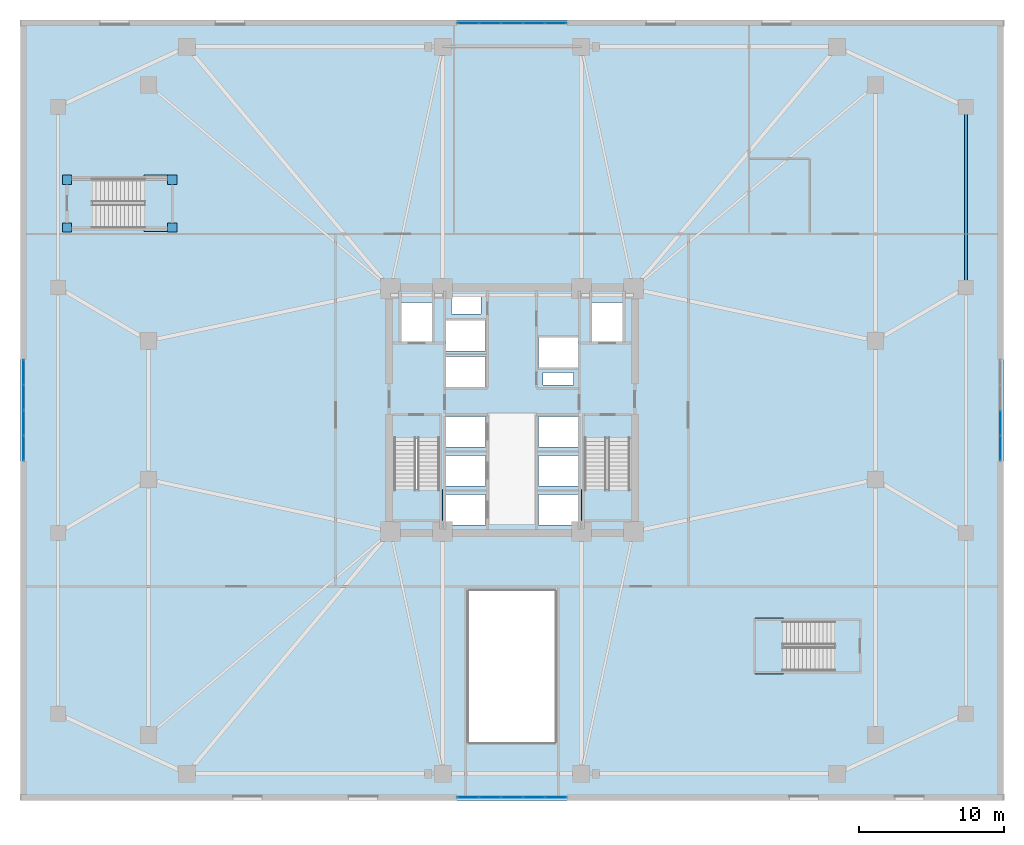
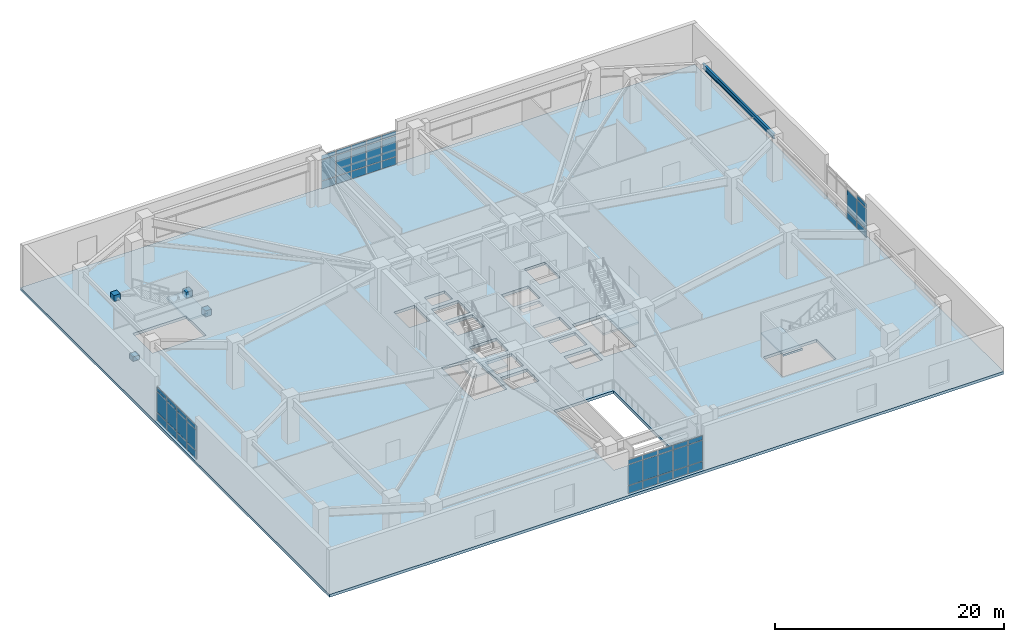
# One storey, part 10 of 20: 51 plates, 5 slabs, 1 beam, 9 elements without a shape of their own.
"""IFC4 building model written with IfcOpenShell, lengths in metres."""

import ifcopenshell
import ifcopenshell.guid

model = None  # the IFC model being written
_history = None  # IfcOwnerHistory: only IFC2X3 demands one
_inside = {}  # id of a spatial element -> (the spatial element, [elements in it])
_under = {}  # id of a project, library or spatial element -> (it, [spatial elements below it])
_declared = {}  # id of a project -> (the project, [libraries it declares])
_typed = {}  # id of a type object -> (the type object, [elements of that type])
_made_of = {}  # id of a material, layer set ... -> (it, [elements and type objects made of it])


def new_model(schema):
    """Start an empty IFC model of exactly this schema.

    Asked for "IFC4X3", IfcOpenShell would pick the latest addendum, in which some entities
    have other attributes; the version numbers below select the first issue.
    IFC2X3 requires an IfcOwnerHistory on every rooted entity: one is made here for all.
    """
    global model, _history
    if schema == "IFC4X3":
        model = ifcopenshell.file(schema_version=(4, 3, 0, 0))
    else:
        model = ifcopenshell.file(schema=schema)
    _inside.clear()
    _under.clear()
    _declared.clear()
    _typed.clear()
    _made_of.clear()
    _history = None
    if model.schema == "IFC2X3":
        org = make("IfcOrganization", Name="unknown")
        user = make(
            "IfcPersonAndOrganization",
            ThePerson=make("IfcPerson", FamilyName="unknown"),
            TheOrganization=org,
        )
        app = make(
            "IfcApplication",
            ApplicationDeveloper=org,
            Version="unknown",
            ApplicationFullName="unknown",
            ApplicationIdentifier="unknown",
        )
        _history = make(
            "IfcOwnerHistory",
            OwningUser=user,
            OwningApplication=app,
            ChangeAction="ADDED",
            CreationDate=0,
        )
    return model


def make(cls, **values):
    """One entity of the class cls with the attributes given. An attribute that is None is left unset."""
    return model.create_entity(
        cls, **{name: value for name, value in values.items() if value is not None}
    )


def rooted(cls, **values):
    """An entity with a GlobalId (a new one), such as an element, a storey or a relation."""
    return make(cls, GlobalId=ifcopenshell.guid.new(), OwnerHistory=_history, **values)


def si_unit(unit_type, name, prefix=None):
    """IfcSIUnit, for example si_unit("LENGTHUNIT", "METRE", prefix="MILLI")."""
    return make("IfcSIUnit", UnitType=unit_type, Prefix=prefix, Name=name)


def assignment(units):
    """IfcUnitAssignment: the units of a project."""
    return None if units is None else make("IfcUnitAssignment", Units=units)


def point(xyz):
    """IfcCartesianPoint."""
    return None if xyz is None else make("IfcCartesianPoint", Coordinates=xyz)


def direction(xyz):
    """IfcDirection."""
    return None if xyz is None else make("IfcDirection", DirectionRatios=xyz)


def frame(location, z_axis=None, x_axis=None):
    """IfcAxis2Placement3D, a coordinate frame: its origin and axes. An axis left out is left unset."""
    return make(
        "IfcAxis2Placement3D",
        Location=point(location),
        Axis=direction(z_axis),
        RefDirection=direction(x_axis),
    )


def frame_2d(location, x_axis=None):
    """IfcAxis2Placement2D, a coordinate frame in the plane: its origin and x axis."""
    return make(
        "IfcAxis2Placement2D", Location=point(location), RefDirection=direction(x_axis)
    )


def origin():
    """The frame at (0, 0, 0) with its axes left unset."""
    return frame((0.0, 0.0, 0.0))


def origin_2d():
    """The frame at (0, 0) in the plane with its x axis left unset."""
    return frame_2d((0.0, 0.0))


def place(relative_to, where):
    """IfcLocalPlacement: puts the frame where relative to a parent placement (None: the world)."""
    return make(
        "IfcLocalPlacement", PlacementRelTo=relative_to, RelativePlacement=where
    )


def context(
    kind, dimensions, precision=None, world=None, true_north=None, identifier=None
):
    """IfcGeometricRepresentationContext, for example the 3D "Model" context."""
    return make(
        "IfcGeometricRepresentationContext",
        ContextIdentifier=identifier,
        ContextType=kind,
        CoordinateSpaceDimension=dimensions,
        Precision=precision,
        WorldCoordinateSystem=world,
        TrueNorth=true_north,
    )


def subcontext(parent, identifier, kind, view, scale=None):
    """IfcGeometricRepresentationSubContext, for example "Body" below "Model"."""
    return make(
        "IfcGeometricRepresentationSubContext",
        ContextIdentifier=identifier,
        ContextType=kind,
        ParentContext=parent,
        TargetScale=scale,
        TargetView=view,
    )


def project(units=None, contexts=None):
    """IfcProject with its units and contexts."""
    return rooted(
        "IfcProject",
        Name="project",
        RepresentationContexts=contexts,
        UnitsInContext=assignment(units),
    )


def spatial(cls, under=None, at=None, **own):
    """A site, building, storey or space (cls), placed at a placement, below another one or the project."""
    s = rooted(cls, ObjectPlacement=at, **own)
    if under is not None:
        _under.setdefault(under.id(), (under, []))[1].append(s)
    return s


def polyline(points):
    """IfcPolyline through the points."""
    return make("IfcPolyline", Points=[point(p) for p in points])


def profile(cls, at=None, kind="AREA", **sizes):
    """A parametric profile (cls). Its sizes go by their IFC names, for example OverallWidth=200.0."""
    return make(cls, ProfileType=kind, Position=at, **sizes)


def rectangle(**sizes):
    """IfcRectangleProfileDef."""
    return profile("IfcRectangleProfileDef", **sizes)


def i_section(**sizes):
    """IfcIShapeProfileDef."""
    return profile("IfcIShapeProfileDef", **sizes)


def outline(outer, holes=None, kind="AREA"):
    """IfcArbitraryClosedProfileDef: a profile drawn as a closed curve; with holes, ...WithVoids."""
    if holes is None:
        return make("IfcArbitraryClosedProfileDef", ProfileType=kind, OuterCurve=outer)
    return make(
        "IfcArbitraryProfileDefWithVoids",
        ProfileType=kind,
        OuterCurve=outer,
        InnerCurves=holes,
    )


def extrude(swept, where, along, depth):
    """IfcExtrudedAreaSolid: the profile swept, set in the frame where, extruded along a direction by depth."""
    return make(
        "IfcExtrudedAreaSolid",
        SweptArea=swept,
        Position=where,
        ExtrudedDirection=direction(along),
        Depth=depth,
    )


def shape(context_of_items, identifier, shape_type, items):
    """IfcShapeRepresentation: the items that make up one representation, for example the "Body"."""
    return make(
        "IfcShapeRepresentation",
        ContextOfItems=context_of_items,
        RepresentationIdentifier=identifier,
        RepresentationType=shape_type,
        Items=items,
    )


def material(Name=None, Category=None):
    """IfcMaterial."""
    return make("IfcMaterial", Name=Name, Category=Category)


def layer(
    of_material, thickness, ventilated=None, Name=None, Category=None, Priority=None
):
    """IfcMaterialLayer: one layer of a wall or slab, of a material (None: an air gap)."""
    return make(
        "IfcMaterialLayer",
        Material=of_material,
        LayerThickness=thickness,
        IsVentilated=ventilated,
        Name=Name,
        Category=Category,
        Priority=Priority,
    )


def layer_set(layers, Name=None):
    """IfcMaterialLayerSet."""
    return make("IfcMaterialLayerSet", MaterialLayers=layers, LayerSetName=Name)


def material_profile(
    of_material, cross_section, Name=None, Category=None, Priority=None
):
    """IfcMaterialProfile: a cross section and its material."""
    return make(
        "IfcMaterialProfile",
        Name=Name,
        Material=of_material,
        Profile=cross_section,
        Priority=Priority,
        Category=Category,
    )


def profile_set(profiles, Name=None, composite=None):
    """IfcMaterialProfileSet."""
    return make(
        "IfcMaterialProfileSet",
        Name=Name,
        MaterialProfiles=profiles,
        CompositeProfile=composite,
    )


def made_of(thing, what):
    """Note that an element or type object is made of a material, layer set ...; save() writes the relation."""
    if what is not None:
        _made_of.setdefault(what.id(), (what, []))[1].append(thing)
    return thing


def type_object(cls, material=None, **own):
    """A type object (cls), such as IfcWallType, which elements share."""
    return made_of(rooted(cls, **own), material)


def element(
    cls,
    number,
    at=None,
    inside=None,
    cuts=None,
    type_object=None,
    material=None,
    context=None,
    identifier="Body",
    shape_type=None,
    held_by="IfcProductDefinitionShape",
    body=None,
    shapes=None,
    **own,
):
    """One element of the class cls, such as IfcWall. Its Tag is "e" and its number.

    at: its placement. inside: the storey or other place that contains it. cuts: it is an
    opening in that element (IfcRelVoidsElement). A single representation is given by context,
    identifier, shape_type and body (its items); several are given by shapes. held_by: the class
    of the entity that holds the representations. save() writes the other relations.
    """
    e = rooted(cls, Tag="e%d" % number, ObjectPlacement=at, **own)
    if body is not None:
        shapes = [shape(context, identifier, shape_type, body)]
    if shapes is not None:
        e.Representation = make(held_by, Representations=shapes)
    if inside is not None:
        _inside.setdefault(inside.id(), (inside, []))[1].append(e)
    if cuts is not None:
        rooted(
            "IfcRelVoidsElement", RelatingBuildingElement=cuts, RelatedOpeningElement=e
        )
    if type_object is not None:
        _typed.setdefault(type_object.id(), (type_object, []))[1].append(e)
    return made_of(e, material)


def aggregate(whole, parts):
    """IfcRelAggregates: a whole, such as a stair, and the parts it consists of."""
    return rooted("IfcRelAggregates", RelatingObject=whole, RelatedObjects=parts)


def save(model, path):
    """Write the relations noted so far, then the file.

    IfcRelAggregates (storeys below a building ...), IfcRelContainedInSpatialStructure (elements
    in a storey), IfcRelDefinesByType, IfcRelAssociatesMaterial and IfcRelDeclares: one each for
    every whole, place, type object, material and project.
    """
    for whole, parts in _under.values():
        aggregate(whole, parts)
    for where, things in _inside.values():
        rooted(
            "IfcRelContainedInSpatialStructure",
            RelatedElements=things,
            RelatingStructure=where,
        )
    for kind, things in _typed.values():
        rooted("IfcRelDefinesByType", RelatedObjects=things, RelatingType=kind)
    for what, things in _made_of.values():
        rooted("IfcRelAssociatesMaterial", RelatedObjects=things, RelatingMaterial=what)
    for by, libraries in _declared.values():
        rooted("IfcRelDeclares", RelatingContext=by, RelatedDefinitions=libraries)
    model.write(path)


model = new_model("IFC4")

# Units and contexts
model_context = context("Model", 3, precision=1e-05, world=origin(), true_north=direction((0.0, 1.0)))
body_context = subcontext(model_context, "Body", "Model", "MODEL_VIEW")
ifc_project = project(units=[si_unit("LENGTHUNIT", "METRE"), si_unit("AREAUNIT", "SQUARE_METRE"), si_unit("VOLUMEUNIT", "CUBIC_METRE"), si_unit("PLANEANGLEUNIT", "RADIAN"), si_unit("MASSUNIT", "GRAM", prefix="KILO")], contexts=[model_context])

# Site, building, storey
site_placement = place(None, origin())
site = spatial("IfcSite", under=ifc_project, at=site_placement, CompositionType="ELEMENT")
building_placement = place(site_placement, origin())
building = spatial("IfcBuilding", under=site, at=building_placement, Name="Cairnveth Concourse Tower", CompositionType="ELEMENT")
storey_placement = place(building_placement, frame((0.0, 0.0, 5.0)))
storey = spatial("IfcBuildingStorey", under=building, at=storey_placement, Name="L01", CompositionType="ELEMENT", Elevation=5.0)

# Beam
ifc_material_1 = material(Name="Steel Grade 350", Category="steel")
ifc_material_profile = material_profile(ifc_material_1, i_section(OverallWidth=0.208984375, OverallDepth=0.532958984375, WebThickness=0.01025390625, FlangeThickness=0.015625, FilletRadius=0.013916015625, at=origin_2d()), Name="530UB92.4")
ifc_profile_set = profile_set([ifc_material_profile], Name="Steel Grade 350")
beam_type = type_object("IfcBeamType", Name="PODIUM EDGE SPANDREL 530UB92.4", PredefinedType="SPANDREL", material=ifc_profile_set)
beam_placement = place(storey_placement, frame((83.39990234375, 47.5, 4.45361328125), z_axis=(0.0, 1.0, 0.0), x_axis=(-1.0, 0.0, 0.0)))
element("IfcBeam", 1, at=beam_placement, inside=storey, type_object=beam_type, Name="Beam PSP-E3 L01", PredefinedType="SPANDREL", context=body_context, shape_type="SweptSolid", body=[
    extrude(i_section(OverallWidth=0.208984375, OverallDepth=0.532958984375, WebThickness=0.01025390625, FlangeThickness=0.015625, FilletRadius=0.013916015625, at=origin_2d()), origin(), (0.0, 0.0, 1.0), 12.5),
])

# Curtain wall, plates
ifc_material_2 = material(Name="Architectural Bronze Anodised Aluminium 6063-T6", Category="aluminium")
ifc_layer_1 = layer(ifc_material_2, 0.360107421875)
ifc_layer_set_1 = layer_set([ifc_layer_1], Name="Architectural Bronze Anodised Aluminium 6063-T6")
curtain_wall_type_1 = type_object("IfcCurtainWallType", Name="CONCOURSE GALLERIA PORTAL CURTAIN WALL", PredefinedType="USERDEFINED", material=ifc_layer_set_1)
curtain_wall_1_placement = place(storey_placement, origin())
curtain_wall_1 = element("IfcCurtainWall", 2, at=curtain_wall_1_placement, inside=storey, type_object=curtain_wall_type_1, Name="Curtain Wall CW-L01-N1", ObjectType="UNITISED FACADE", PredefinedType="USERDEFINED")
ifc_material_3 = material(Name="Double Glazed Low-E Clear Glass", Category="glass")
ifc_layer_2 = layer(ifc_material_3, 0.028076171875)
ifc_layer_set_2 = layer_set([ifc_layer_2], Name="Double Glazed Low-E Clear Glass")
plate_type_1 = type_object("IfcPlateType", Name="DOUBLE GLAZED LOW-E CURTAIN PANEL 28", PredefinedType="CURTAIN_PANEL", material=ifc_layer_set_2)
plate_1_placement = place(storey_placement, frame((48.96435546875, 65.7900390625, 0.06494140625), z_axis=(0.0, 0.0, 1.0), x_axis=(1.0, 0.0, 0.0)))
plate_1 = element("IfcPlate", 3, at=plate_1_placement, type_object=plate_type_1, Name="CWS1 panel 1.1", PredefinedType="CURTAIN_PANEL", context=body_context, shape_type="SweptSolid", body=[
    extrude(rectangle(XDim=1.428466796875, YDim=0.028076171875, at=origin_2d()), origin(), (0.0, 0.0, 1.0), 0.802490234375),
])
plate_2_placement = place(storey_placement, frame((48.96435546875, 65.7900390625, 0.9326171875), z_axis=(0.0, 0.0, 1.0), x_axis=(1.0, 0.0, 0.0)))
plate_2 = element("IfcPlate", 4, at=plate_2_placement, type_object=plate_type_1, Name="CWS1 panel 1.2", PredefinedType="CURTAIN_PANEL", context=body_context, shape_type="SweptSolid", body=[
    extrude(rectangle(XDim=1.428466796875, YDim=0.028076171875, at=origin_2d()), origin(), (0.0, 0.0, 1.0), 2.180908203125),
])
plate_3_placement = place(storey_placement, frame((48.96435546875, 65.7900390625, 3.1787109375), z_axis=(0.0, 0.0, 1.0), x_axis=(1.0, 0.0, 0.0)))
plate_3 = element("IfcPlate", 5, at=plate_3_placement, type_object=plate_type_1, Name="CWS1 panel 1.3", PredefinedType="CURTAIN_PANEL", context=body_context, shape_type="SweptSolid", body=[
    extrude(rectangle(XDim=1.428466796875, YDim=0.028076171875, at=origin_2d()), origin(), (0.0, 0.0, 1.0), 0.452392578125),
])
plate_4_placement = place(storey_placement, frame((50.47412109375, 65.7900390625, 0.06494140625), z_axis=(0.0, 0.0, 1.0), x_axis=(1.0, 0.0, 0.0)))
plate_4 = element("IfcPlate", 6, at=plate_4_placement, type_object=plate_type_1, Name="CWS1 panel 2.1", PredefinedType="CURTAIN_PANEL", context=body_context, shape_type="SweptSolid", body=[
    extrude(rectangle(XDim=1.4609375, YDim=0.028076171875, at=origin_2d()), origin(), (0.0, 0.0, 1.0), 0.802490234375),
])
plate_5_placement = place(storey_placement, frame((50.47412109375, 65.7900390625, 0.9326171875), z_axis=(0.0, 0.0, 1.0), x_axis=(1.0, 0.0, 0.0)))
plate_5 = element("IfcPlate", 7, at=plate_5_placement, type_object=plate_type_1, Name="CWS1 panel 2.2", PredefinedType="CURTAIN_PANEL", context=body_context, shape_type="SweptSolid", body=[
    extrude(rectangle(XDim=1.4609375, YDim=0.028076171875, at=origin_2d()), origin(), (0.0, 0.0, 1.0), 2.180908203125),
])
plate_6_placement = place(storey_placement, frame((50.47412109375, 65.7900390625, 3.1787109375), z_axis=(0.0, 0.0, 1.0), x_axis=(1.0, 0.0, 0.0)))
plate_6 = element("IfcPlate", 8, at=plate_6_placement, type_object=plate_type_1, Name="CWS1 panel 2.3", PredefinedType="CURTAIN_PANEL", context=body_context, shape_type="SweptSolid", body=[
    extrude(rectangle(XDim=1.4609375, YDim=0.028076171875, at=origin_2d()), origin(), (0.0, 0.0, 1.0), 0.452392578125),
])
plate_7_placement = place(storey_placement, frame((52.0, 65.7900390625, 0.06494140625), z_axis=(0.0, 0.0, 1.0), x_axis=(1.0, 0.0, 0.0)))
plate_7 = element("IfcPlate", 9, at=plate_7_placement, type_object=plate_type_1, Name="CWS1 panel 3.1", PredefinedType="CURTAIN_PANEL", context=body_context, shape_type="SweptSolid", body=[
    extrude(rectangle(XDim=1.4609375, YDim=0.028076171875, at=origin_2d()), origin(), (0.0, 0.0, 1.0), 0.802490234375),
])
plate_8_placement = place(storey_placement, frame((52.0, 65.7900390625, 0.9326171875), z_axis=(0.0, 0.0, 1.0), x_axis=(1.0, 0.0, 0.0)))
plate_8 = element("IfcPlate", 10, at=plate_8_placement, type_object=plate_type_1, Name="CWS1 panel 3.2", PredefinedType="CURTAIN_PANEL", context=body_context, shape_type="SweptSolid", body=[
    extrude(rectangle(XDim=1.4609375, YDim=0.028076171875, at=origin_2d()), origin(), (0.0, 0.0, 1.0), 2.180908203125),
])
plate_9_placement = place(storey_placement, frame((52.0, 65.7900390625, 3.1787109375), z_axis=(0.0, 0.0, 1.0), x_axis=(1.0, 0.0, 0.0)))
plate_9 = element("IfcPlate", 11, at=plate_9_placement, type_object=plate_type_1, Name="CWS1 panel 3.3", PredefinedType="CURTAIN_PANEL", context=body_context, shape_type="SweptSolid", body=[
    extrude(rectangle(XDim=1.4609375, YDim=0.028076171875, at=origin_2d()), origin(), (0.0, 0.0, 1.0), 0.452392578125),
])
plate_10_placement = place(storey_placement, frame((53.52587890625, 65.7900390625, 0.06494140625), z_axis=(0.0, 0.0, 1.0), x_axis=(1.0, 0.0, 0.0)))
plate_10 = element("IfcPlate", 12, at=plate_10_placement, type_object=plate_type_1, Name="CWS1 panel 4.1", PredefinedType="CURTAIN_PANEL", context=body_context, shape_type="SweptSolid", body=[
    extrude(rectangle(XDim=1.4609375, YDim=0.028076171875, at=origin_2d()), origin(), (0.0, 0.0, 1.0), 0.802490234375),
])
plate_11_placement = place(storey_placement, frame((53.52587890625, 65.7900390625, 0.9326171875), z_axis=(0.0, 0.0, 1.0), x_axis=(1.0, 0.0, 0.0)))
plate_11 = element("IfcPlate", 13, at=plate_11_placement, type_object=plate_type_1, Name="CWS1 panel 4.2", PredefinedType="CURTAIN_PANEL", context=body_context, shape_type="SweptSolid", body=[
    extrude(rectangle(XDim=1.4609375, YDim=0.028076171875, at=origin_2d()), origin(), (0.0, 0.0, 1.0), 2.180908203125),
])
plate_12_placement = place(storey_placement, frame((53.52587890625, 65.7900390625, 3.1787109375), z_axis=(0.0, 0.0, 1.0), x_axis=(1.0, 0.0, 0.0)))
plate_12 = element("IfcPlate", 14, at=plate_12_placement, type_object=plate_type_1, Name="CWS1 panel 4.3", PredefinedType="CURTAIN_PANEL", context=body_context, shape_type="SweptSolid", body=[
    extrude(rectangle(XDim=1.4609375, YDim=0.028076171875, at=origin_2d()), origin(), (0.0, 0.0, 1.0), 0.452392578125),
])
plate_13_placement = place(storey_placement, frame((55.03564453125, 65.7900390625, 0.06494140625), z_axis=(0.0, 0.0, 1.0), x_axis=(1.0, 0.0, 0.0)))
plate_13 = element("IfcPlate", 15, at=plate_13_placement, type_object=plate_type_1, Name="CWS1 panel 5.1", PredefinedType="CURTAIN_PANEL", context=body_context, shape_type="SweptSolid", body=[
    extrude(rectangle(XDim=1.428466796875, YDim=0.028076171875, at=origin_2d()), origin(), (0.0, 0.0, 1.0), 0.802490234375),
])
plate_14_placement = place(storey_placement, frame((55.03564453125, 65.7900390625, 0.9326171875), z_axis=(0.0, 0.0, 1.0), x_axis=(1.0, 0.0, 0.0)))
plate_14 = element("IfcPlate", 16, at=plate_14_placement, type_object=plate_type_1, Name="CWS1 panel 5.2", PredefinedType="CURTAIN_PANEL", context=body_context, shape_type="SweptSolid", body=[
    extrude(rectangle(XDim=1.428466796875, YDim=0.028076171875, at=origin_2d()), origin(), (0.0, 0.0, 1.0), 2.180908203125),
])
plate_15_placement = place(storey_placement, frame((55.03564453125, 65.7900390625, 3.1787109375), z_axis=(0.0, 0.0, 1.0), x_axis=(1.0, 0.0, 0.0)))
plate_15 = element("IfcPlate", 17, at=plate_15_placement, type_object=plate_type_1, Name="CWS1 panel 5.3", PredefinedType="CURTAIN_PANEL", context=body_context, shape_type="SweptSolid", body=[
    extrude(rectangle(XDim=1.428466796875, YDim=0.028076171875, at=origin_2d()), origin(), (0.0, 0.0, 1.0), 0.452392578125),
])
aggregate(curtain_wall_1, [plate_1, plate_2, plate_3, plate_4, plate_5, plate_6, plate_7, plate_8, plate_9, plate_10, plate_11, plate_12, plate_13, plate_14, plate_15])

curtain_wall_2_placement = place(storey_placement, origin())
curtain_wall_2 = element("IfcCurtainWall", 18, at=curtain_wall_2_placement, inside=storey, type_object=curtain_wall_type_1, Name="Curtain Wall CW-L01-S1", ObjectType="UNITISED FACADE", PredefinedType="USERDEFINED")
plate_16_placement = place(storey_placement, frame((55.03564453125, 12.2099609375, 0.06494140625), z_axis=(0.0, 0.0, 1.0), x_axis=(-1.0, 0.0, 0.0)))
plate_16 = element("IfcPlate", 19, at=plate_16_placement, type_object=plate_type_1, Name="CWS1 panel 1.1", PredefinedType="CURTAIN_PANEL", context=body_context, shape_type="SweptSolid", body=[
    extrude(rectangle(XDim=1.428466796875, YDim=0.028076171875, at=origin_2d()), origin(), (0.0, 0.0, 1.0), 0.802490234375),
])
plate_17_placement = place(storey_placement, frame((55.03564453125, 12.2099609375, 0.9326171875), z_axis=(0.0, 0.0, 1.0), x_axis=(-1.0, 0.0, 0.0)))
plate_17 = element("IfcPlate", 20, at=plate_17_placement, type_object=plate_type_1, Name="CWS1 panel 1.2", PredefinedType="CURTAIN_PANEL", context=body_context, shape_type="SweptSolid", body=[
    extrude(rectangle(XDim=1.428466796875, YDim=0.028076171875, at=origin_2d()), origin(), (0.0, 0.0, 1.0), 2.180908203125),
])
plate_18_placement = place(storey_placement, frame((55.03564453125, 12.2099609375, 3.1787109375), z_axis=(0.0, 0.0, 1.0), x_axis=(-1.0, 0.0, 0.0)))
plate_18 = element("IfcPlate", 21, at=plate_18_placement, type_object=plate_type_1, Name="CWS1 panel 1.3", PredefinedType="CURTAIN_PANEL", context=body_context, shape_type="SweptSolid", body=[
    extrude(rectangle(XDim=1.428466796875, YDim=0.028076171875, at=origin_2d()), origin(), (0.0, 0.0, 1.0), 0.452392578125),
])
plate_19_placement = place(storey_placement, frame((53.52587890625, 12.2099609375, 0.06494140625), z_axis=(0.0, 0.0, 1.0), x_axis=(-1.0, 0.0, 0.0)))
plate_19 = element("IfcPlate", 22, at=plate_19_placement, type_object=plate_type_1, Name="CWS1 panel 2.1", PredefinedType="CURTAIN_PANEL", context=body_context, shape_type="SweptSolid", body=[
    extrude(rectangle(XDim=1.4609375, YDim=0.028076171875, at=origin_2d()), origin(), (0.0, 0.0, 1.0), 0.802490234375),
])
plate_20_placement = place(storey_placement, frame((53.52587890625, 12.2099609375, 0.9326171875), z_axis=(0.0, 0.0, 1.0), x_axis=(-1.0, 0.0, 0.0)))
plate_20 = element("IfcPlate", 23, at=plate_20_placement, type_object=plate_type_1, Name="CWS1 panel 2.2", PredefinedType="CURTAIN_PANEL", context=body_context, shape_type="SweptSolid", body=[
    extrude(rectangle(XDim=1.4609375, YDim=0.028076171875, at=origin_2d()), origin(), (0.0, 0.0, 1.0), 2.180908203125),
])
plate_21_placement = place(storey_placement, frame((53.52587890625, 12.2099609375, 3.1787109375), z_axis=(0.0, 0.0, 1.0), x_axis=(-1.0, 0.0, 0.0)))
plate_21 = element("IfcPlate", 24, at=plate_21_placement, type_object=plate_type_1, Name="CWS1 panel 2.3", PredefinedType="CURTAIN_PANEL", context=body_context, shape_type="SweptSolid", body=[
    extrude(rectangle(XDim=1.4609375, YDim=0.028076171875, at=origin_2d()), origin(), (0.0, 0.0, 1.0), 0.452392578125),
])
plate_22_placement = place(storey_placement, frame((52.0, 12.2099609375, 0.06494140625), z_axis=(0.0, 0.0, 1.0), x_axis=(-1.0, 0.0, 0.0)))
plate_22 = element("IfcPlate", 25, at=plate_22_placement, type_object=plate_type_1, Name="CWS1 panel 3.1", PredefinedType="CURTAIN_PANEL", context=body_context, shape_type="SweptSolid", body=[
    extrude(rectangle(XDim=1.4609375, YDim=0.028076171875, at=origin_2d()), origin(), (0.0, 0.0, 1.0), 0.802490234375),
])
plate_23_placement = place(storey_placement, frame((52.0, 12.2099609375, 0.9326171875), z_axis=(0.0, 0.0, 1.0), x_axis=(-1.0, 0.0, 0.0)))
plate_23 = element("IfcPlate", 26, at=plate_23_placement, type_object=plate_type_1, Name="CWS1 panel 3.2", PredefinedType="CURTAIN_PANEL", context=body_context, shape_type="SweptSolid", body=[
    extrude(rectangle(XDim=1.4609375, YDim=0.028076171875, at=origin_2d()), origin(), (0.0, 0.0, 1.0), 2.180908203125),
])
plate_24_placement = place(storey_placement, frame((52.0, 12.2099609375, 3.1787109375), z_axis=(0.0, 0.0, 1.0), x_axis=(-1.0, 0.0, 0.0)))
plate_24 = element("IfcPlate", 27, at=plate_24_placement, type_object=plate_type_1, Name="CWS1 panel 3.3", PredefinedType="CURTAIN_PANEL", context=body_context, shape_type="SweptSolid", body=[
    extrude(rectangle(XDim=1.4609375, YDim=0.028076171875, at=origin_2d()), origin(), (0.0, 0.0, 1.0), 0.452392578125),
])
plate_25_placement = place(storey_placement, frame((50.47412109375, 12.2099609375, 0.06494140625), z_axis=(0.0, 0.0, 1.0), x_axis=(-1.0, 0.0, 0.0)))
plate_25 = element("IfcPlate", 28, at=plate_25_placement, type_object=plate_type_1, Name="CWS1 panel 4.1", PredefinedType="CURTAIN_PANEL", context=body_context, shape_type="SweptSolid", body=[
    extrude(rectangle(XDim=1.4609375, YDim=0.028076171875, at=origin_2d()), origin(), (0.0, 0.0, 1.0), 0.802490234375),
])
plate_26_placement = place(storey_placement, frame((50.47412109375, 12.2099609375, 0.9326171875), z_axis=(0.0, 0.0, 1.0), x_axis=(-1.0, 0.0, 0.0)))
plate_26 = element("IfcPlate", 29, at=plate_26_placement, type_object=plate_type_1, Name="CWS1 panel 4.2", PredefinedType="CURTAIN_PANEL", context=body_context, shape_type="SweptSolid", body=[
    extrude(rectangle(XDim=1.4609375, YDim=0.028076171875, at=origin_2d()), origin(), (0.0, 0.0, 1.0), 2.180908203125),
])
plate_27_placement = place(storey_placement, frame((50.47412109375, 12.2099609375, 3.1787109375), z_axis=(0.0, 0.0, 1.0), x_axis=(-1.0, 0.0, 0.0)))
plate_27 = element("IfcPlate", 30, at=plate_27_placement, type_object=plate_type_1, Name="CWS1 panel 4.3", PredefinedType="CURTAIN_PANEL", context=body_context, shape_type="SweptSolid", body=[
    extrude(rectangle(XDim=1.4609375, YDim=0.028076171875, at=origin_2d()), origin(), (0.0, 0.0, 1.0), 0.452392578125),
])
plate_28_placement = place(storey_placement, frame((48.96435546875, 12.2099609375, 0.06494140625), z_axis=(0.0, 0.0, 1.0), x_axis=(-1.0, 0.0, 0.0)))
plate_28 = element("IfcPlate", 31, at=plate_28_placement, type_object=plate_type_1, Name="CWS1 panel 5.1", PredefinedType="CURTAIN_PANEL", context=body_context, shape_type="SweptSolid", body=[
    extrude(rectangle(XDim=1.428466796875, YDim=0.028076171875, at=origin_2d()), origin(), (0.0, 0.0, 1.0), 0.802490234375),
])
plate_29_placement = place(storey_placement, frame((48.96435546875, 12.2099609375, 0.9326171875), z_axis=(0.0, 0.0, 1.0), x_axis=(-1.0, 0.0, 0.0)))
plate_29 = element("IfcPlate", 32, at=plate_29_placement, type_object=plate_type_1, Name="CWS1 panel 5.2", PredefinedType="CURTAIN_PANEL", context=body_context, shape_type="SweptSolid", body=[
    extrude(rectangle(XDim=1.428466796875, YDim=0.028076171875, at=origin_2d()), origin(), (0.0, 0.0, 1.0), 2.180908203125),
])
plate_30_placement = place(storey_placement, frame((48.96435546875, 12.2099609375, 3.1787109375), z_axis=(0.0, 0.0, 1.0), x_axis=(-1.0, 0.0, 0.0)))
plate_30 = element("IfcPlate", 33, at=plate_30_placement, type_object=plate_type_1, Name="CWS1 panel 5.3", PredefinedType="CURTAIN_PANEL", context=body_context, shape_type="SweptSolid", body=[
    extrude(rectangle(XDim=1.428466796875, YDim=0.028076171875, at=origin_2d()), origin(), (0.0, 0.0, 1.0), 0.452392578125),
])
aggregate(curtain_wall_2, [plate_16, plate_17, plate_18, plate_19, plate_20, plate_21, plate_22, plate_23, plate_24, plate_25, plate_26, plate_27, plate_28, plate_29, plate_30])

ifc_layer_3 = layer(ifc_material_2, 0.340087890625)
ifc_layer_set_3 = layer_set([ifc_layer_3], Name="Architectural Bronze Anodised Aluminium 6063-T6")
curtain_wall_type_2 = type_object("IfcCurtainWallType", Name="PODIUM RETAIL SHOPFRONT CURTAIN WALL", PredefinedType="USERDEFINED", material=ifc_layer_set_3)
curtain_wall_3_placement = place(storey_placement, origin())
curtain_wall_3 = element("IfcCurtainWall", 34, at=curtain_wall_3_placement, inside=storey, type_object=curtain_wall_type_2, Name="Curtain Wall CW-L01-E-SHOP1", ObjectType="SHOPFRONT GLAZING", PredefinedType="USERDEFINED")
plate_31_placement = place(storey_placement, frame((85.7900390625, 38.121337890625, 0.06494140625), z_axis=(0.0, 0.0, 1.0), x_axis=(0.0, -1.0, 0.0)))
plate_31 = element("IfcPlate", 35, at=plate_31_placement, type_object=plate_type_1, Name="CWS2 panel 3.1", PredefinedType="CURTAIN_PANEL", context=body_context, shape_type="SweptSolid", body=[
    extrude(rectangle(XDim=1.6923828125, YDim=0.028076171875, at=origin_2d()), origin(), (0.0, 0.0, 1.0), 0.802490234375),
])
plate_32_placement = place(storey_placement, frame((85.7900390625, 38.121337890625, 0.9326171875), z_axis=(0.0, 0.0, 1.0), x_axis=(0.0, -1.0, 0.0)))
plate_32 = element("IfcPlate", 36, at=plate_32_placement, type_object=plate_type_1, Name="CWS2 panel 3.2", PredefinedType="CURTAIN_PANEL", context=body_context, shape_type="SweptSolid", body=[
    extrude(rectangle(XDim=1.6923828125, YDim=0.028076171875, at=origin_2d()), origin(), (0.0, 0.0, 1.0), 2.180908203125),
])
plate_33_placement = place(storey_placement, frame((85.7900390625, 36.3798828125, 0.06494140625), z_axis=(0.0, 0.0, 1.0), x_axis=(0.0, -1.0, 0.0)))
plate_33 = element("IfcPlate", 37, at=plate_33_placement, type_object=plate_type_1, Name="CWS2 panel 4.1", PredefinedType="CURTAIN_PANEL", context=body_context, shape_type="SweptSolid", body=[
    extrude(rectangle(XDim=1.659912109375, YDim=0.028076171875, at=origin_2d()), origin(), (0.0, 0.0, 1.0), 0.802490234375),
])
plate_34_placement = place(storey_placement, frame((85.7900390625, 36.3798828125, 0.9326171875), z_axis=(0.0, 0.0, 1.0), x_axis=(0.0, -1.0, 0.0)))
plate_34 = element("IfcPlate", 38, at=plate_34_placement, type_object=plate_type_1, Name="CWS2 panel 4.2", PredefinedType="CURTAIN_PANEL", context=body_context, shape_type="SweptSolid", body=[
    extrude(rectangle(XDim=1.659912109375, YDim=0.028076171875, at=origin_2d()), origin(), (0.0, 0.0, 1.0), 2.180908203125),
])
plate_35_placement = place(storey_placement, frame((85.7900390625, 36.3798828125, 3.1787109375), z_axis=(0.0, 0.0, 1.0), x_axis=(0.0, -1.0, 0.0)))
plate_35 = element("IfcPlate", 39, at=plate_35_placement, type_object=plate_type_1, Name="CWS2 panel 4.3", PredefinedType="CURTAIN_PANEL", context=body_context, shape_type="SweptSolid", body=[
    extrude(rectangle(XDim=1.659912109375, YDim=0.028076171875, at=origin_2d()), origin(), (0.0, 0.0, 1.0), 0.452392578125),
])
aggregate(curtain_wall_3, [plate_31, plate_32, plate_33, plate_34, plate_35])

curtain_wall_4_placement = place(storey_placement, origin())
curtain_wall_4 = element("IfcCurtainWall", 40, at=curtain_wall_4_placement, inside=storey, type_object=curtain_wall_type_2, Name="Curtain Wall CW-L01-W-SHOP1", ObjectType="SHOPFRONT GLAZING", PredefinedType="USERDEFINED")
plate_36_placement = place(storey_placement, frame((18.2099609375, 36.3837890625, 0.06494140625), z_axis=(0.0, 0.0, 1.0), x_axis=(0.0, 1.0, 0.0)))
plate_36 = element("IfcPlate", 41, at=plate_36_placement, type_object=plate_type_1, Name="CWS2 panel 1.1", PredefinedType="CURTAIN_PANEL", context=body_context, shape_type="SweptSolid", body=[
    extrude(rectangle(XDim=1.66748046875, YDim=0.028076171875, at=origin_2d()), origin(), (0.0, 0.0, 1.0), 0.802490234375),
])
plate_37_placement = place(storey_placement, frame((18.2099609375, 36.3837890625, 0.9326171875), z_axis=(0.0, 0.0, 1.0), x_axis=(0.0, 1.0, 0.0)))
plate_37 = element("IfcPlate", 42, at=plate_37_placement, type_object=plate_type_1, Name="CWS2 panel 1.2", PredefinedType="CURTAIN_PANEL", context=body_context, shape_type="SweptSolid", body=[
    extrude(rectangle(XDim=1.66748046875, YDim=0.028076171875, at=origin_2d()), origin(), (0.0, 0.0, 1.0), 2.180908203125),
])
plate_38_placement = place(storey_placement, frame((18.2099609375, 36.3837890625, 3.1787109375), z_axis=(0.0, 0.0, 1.0), x_axis=(0.0, 1.0, 0.0)))
plate_38 = element("IfcPlate", 43, at=plate_38_placement, type_object=plate_type_1, Name="CWS2 panel 1.3", PredefinedType="CURTAIN_PANEL", context=body_context, shape_type="SweptSolid", body=[
    extrude(rectangle(XDim=1.66748046875, YDim=0.028076171875, at=origin_2d()), origin(), (0.0, 0.0, 1.0), 0.452392578125),
])
plate_39_placement = place(storey_placement, frame((18.2099609375, 38.1162109375, 0.06494140625), z_axis=(0.0, 0.0, 1.0), x_axis=(0.0, 1.0, 0.0)))
plate_39 = element("IfcPlate", 44, at=plate_39_placement, type_object=plate_type_1, Name="CWS2 panel 2.1", PredefinedType="CURTAIN_PANEL", context=body_context, shape_type="SweptSolid", body=[
    extrude(rectangle(XDim=1.66748046875, YDim=0.028076171875, at=origin_2d()), origin(), (0.0, 0.0, 1.0), 0.802490234375),
])
plate_40_placement = place(storey_placement, frame((18.2099609375, 38.1162109375, 0.9326171875), z_axis=(0.0, 0.0, 1.0), x_axis=(0.0, 1.0, 0.0)))
plate_40 = element("IfcPlate", 45, at=plate_40_placement, type_object=plate_type_1, Name="CWS2 panel 2.2", PredefinedType="CURTAIN_PANEL", context=body_context, shape_type="SweptSolid", body=[
    extrude(rectangle(XDim=1.66748046875, YDim=0.028076171875, at=origin_2d()), origin(), (0.0, 0.0, 1.0), 2.180908203125),
])
plate_41_placement = place(storey_placement, frame((18.2099609375, 38.1162109375, 3.1787109375), z_axis=(0.0, 0.0, 1.0), x_axis=(0.0, 1.0, 0.0)))
plate_41 = element("IfcPlate", 46, at=plate_41_placement, type_object=plate_type_1, Name="CWS2 panel 2.3", PredefinedType="CURTAIN_PANEL", context=body_context, shape_type="SweptSolid", body=[
    extrude(rectangle(XDim=1.66748046875, YDim=0.028076171875, at=origin_2d()), origin(), (0.0, 0.0, 1.0), 0.452392578125),
])
aggregate(curtain_wall_4, [plate_36, plate_37, plate_38, plate_39, plate_40, plate_41])

curtain_wall_5_placement = place(storey_placement, origin())
curtain_wall_5 = element("IfcCurtainWall", 47, at=curtain_wall_5_placement, inside=storey, type_object=curtain_wall_type_2, Name="Curtain Wall CW-L01-W-SHOP2", ObjectType="SHOPFRONT GLAZING", PredefinedType="USERDEFINED")
plate_42_placement = place(storey_placement, frame((18.2099609375, 39.8837890625, 0.06494140625), z_axis=(0.0, 0.0, 1.0), x_axis=(0.0, 1.0, 0.0)))
plate_42 = element("IfcPlate", 48, at=plate_42_placement, type_object=plate_type_1, Name="CWS2 panel 1.1", PredefinedType="CURTAIN_PANEL", context=body_context, shape_type="SweptSolid", body=[
    extrude(rectangle(XDim=1.66748046875, YDim=0.028076171875, at=origin_2d()), origin(), (0.0, 0.0, 1.0), 0.802490234375),
])
plate_43_placement = place(storey_placement, frame((18.2099609375, 39.8837890625, 0.9326171875), z_axis=(0.0, 0.0, 1.0), x_axis=(0.0, 1.0, 0.0)))
plate_43 = element("IfcPlate", 49, at=plate_43_placement, type_object=plate_type_1, Name="CWS2 panel 1.2", PredefinedType="CURTAIN_PANEL", context=body_context, shape_type="SweptSolid", body=[
    extrude(rectangle(XDim=1.66748046875, YDim=0.028076171875, at=origin_2d()), origin(), (0.0, 0.0, 1.0), 2.180908203125),
])
plate_44_placement = place(storey_placement, frame((18.2099609375, 39.8837890625, 3.1787109375), z_axis=(0.0, 0.0, 1.0), x_axis=(0.0, 1.0, 0.0)))
plate_44 = element("IfcPlate", 50, at=plate_44_placement, type_object=plate_type_1, Name="CWS2 panel 1.3", PredefinedType="CURTAIN_PANEL", context=body_context, shape_type="SweptSolid", body=[
    extrude(rectangle(XDim=1.66748046875, YDim=0.028076171875, at=origin_2d()), origin(), (0.0, 0.0, 1.0), 0.452392578125),
])
plate_45_placement = place(storey_placement, frame((18.2099609375, 41.6162109375, 0.06494140625), z_axis=(0.0, 0.0, 1.0), x_axis=(0.0, 1.0, 0.0)))
plate_45 = element("IfcPlate", 51, at=plate_45_placement, type_object=plate_type_1, Name="CWS2 panel 2.1", PredefinedType="CURTAIN_PANEL", context=body_context, shape_type="SweptSolid", body=[
    extrude(rectangle(XDim=1.66748046875, YDim=0.028076171875, at=origin_2d()), origin(), (0.0, 0.0, 1.0), 0.802490234375),
])
plate_46_placement = place(storey_placement, frame((18.2099609375, 41.6162109375, 0.9326171875), z_axis=(0.0, 0.0, 1.0), x_axis=(0.0, 1.0, 0.0)))
plate_46 = element("IfcPlate", 52, at=plate_46_placement, type_object=plate_type_1, Name="CWS2 panel 2.2", PredefinedType="CURTAIN_PANEL", context=body_context, shape_type="SweptSolid", body=[
    extrude(rectangle(XDim=1.66748046875, YDim=0.028076171875, at=origin_2d()), origin(), (0.0, 0.0, 1.0), 2.180908203125),
])
plate_47_placement = place(storey_placement, frame((18.2099609375, 41.6162109375, 3.1787109375), z_axis=(0.0, 0.0, 1.0), x_axis=(0.0, 1.0, 0.0)))
plate_47 = element("IfcPlate", 53, at=plate_47_placement, type_object=plate_type_1, Name="CWS2 panel 2.3", PredefinedType="CURTAIN_PANEL", context=body_context, shape_type="SweptSolid", body=[
    extrude(rectangle(XDim=1.66748046875, YDim=0.028076171875, at=origin_2d()), origin(), (0.0, 0.0, 1.0), 0.452392578125),
])
aggregate(curtain_wall_5, [plate_42, plate_43, plate_44, plate_45, plate_46, plate_47])

# Plates
ifc_layer_4 = layer(ifc_material_1, 0.02587890625)
ifc_layer_set_4 = layer_set([ifc_layer_4], Name="Steel Grade 350")
plate_type_2 = type_object("IfcPlateType", Name="INTERNAL TRUSS END CAP PLATE 26", PredefinedType="SHEET", material=ifc_layer_set_4)
for number, where, z_axis, x_axis, name in (
    (54, (21.2099609375, 51.64990234375, -0.169921875), (0.0, 0.0, 1.0), (1.0, 0.0, 0.0), "Structural Node Plate 1601 L01"),
    (55, (28.489990234375, 51.64990234375, 2.18017578125), (0.0, 0.0, 1.0), (1.0, 0.0, 0.0), "Structural Node Plate 1602 L01"),
    (56, (28.489990234375, 54.949951171875, 2.18017578125), (0.0, 0.0, 1.0), (1.0, 0.0, 0.0), "Structural Node Plate 1603 L01"),
    (57, (21.2099609375, 54.949951171875, 4.3798828125), (0.0, 0.0, 1.0), (1.0, 0.0, 0.0), "Structural Node Plate 1604 L01"),
):
    element("IfcPlate", number, at=place(storey_placement, frame(where, z_axis=z_axis, x_axis=x_axis)), inside=storey, type_object=plate_type_2, Name=name, PredefinedType="SHEET", context=body_context, shape_type="SweptSolid", body=[
        extrude(rectangle(XDim=0.639892578125, YDim=0.639892578125, at=origin_2d()), origin(), (0.0, 0.0, 1.0), 0.639892578125),
    ])

# Slab
ifc_material_4 = material(Name="Concrete N50 (50 MPa)", Category="concrete")
ifc_layer_5 = layer(ifc_material_4, 0.300048828125)
ifc_layer_set_5 = layer_set([ifc_layer_5], Name="Concrete N50 (50 MPa)")
slab_type_1 = type_object("IfcSlabType", Name="LOWER PODIUM CONCOURSE SLAB 300", PredefinedType="FLOOR", material=ifc_layer_set_5)
slab_1_placement = place(storey_placement, frame((0.0, 0.0, -0.300048828125)))
element("IfcSlab", 58, at=slab_1_placement, inside=storey, type_object=slab_type_1, Name="Concourse Mezzanine Floor Slab L01", PredefinedType="FLOOR", context=body_context, shape_type="SweptSolid", body=[
    extrude(outline(polyline([(18.0, 12.0), (86.0, 12.0), (86.0, 66.0), (18.0, 66.0), (18.0, 12.0)]), holes=[polyline([(43.760009765625, 31.360107421875), (47.06005859375, 31.360107421875), (47.06005859375, 37.0400390625), (43.760009765625, 37.0400390625), (43.760009765625, 31.360107421875)]), polyline([(56.93994140625, 31.360107421875), (60.239990234375, 31.360107421875), (60.239990234375, 37.0400390625), (56.93994140625, 37.0400390625), (56.93994140625, 31.360107421875)]), polyline([(23.010009765625, 51.60009765625), (28.39990234375, 51.60009765625), (28.39990234375, 55.0400390625), (23.010009765625, 55.0400390625), (23.010009765625, 51.60009765625)]), polyline([(74.2900390625, 24.39990234375), (68.89990234375, 24.39990234375), (68.89990234375, 20.9599609375), (74.2900390625, 20.9599609375), (74.2900390625, 24.39990234375)]), polyline([(44.3701171875, 43.75), (46.469970703125, 43.75), (46.469970703125, 46.449951171875), (44.3701171875, 46.449951171875), (44.3701171875, 43.75)]), polyline([(57.530029296875, 43.75), (59.6298828125, 43.75), (59.6298828125, 46.449951171875), (57.530029296875, 46.449951171875), (57.530029296875, 43.75)]), polyline([(47.449951171875, 31.050048828125), (50.14990234375, 31.050048828125), (50.14990234375, 33.14990234375), (47.449951171875, 33.14990234375), (47.449951171875, 31.050048828125)]), polyline([(47.449951171875, 33.75), (50.14990234375, 33.75), (50.14990234375, 35.85009765625), (47.449951171875, 35.85009765625), (47.449951171875, 33.75)]), polyline([(47.449951171875, 36.449951171875), (50.14990234375, 36.449951171875), (50.14990234375, 38.550048828125), (47.449951171875, 38.550048828125), (47.449951171875, 36.449951171875)]), polyline([(53.85009765625, 31.050048828125), (56.550048828125, 31.050048828125), (56.550048828125, 33.14990234375), (53.85009765625, 33.14990234375), (53.85009765625, 31.050048828125)]), polyline([(53.85009765625, 33.75), (56.550048828125, 33.75), (56.550048828125, 35.85009765625), (53.85009765625, 35.85009765625), (53.85009765625, 33.75)]), polyline([(53.85009765625, 36.449951171875), (56.550048828125, 36.449951171875), (56.550048828125, 38.550048828125), (53.85009765625, 38.550048828125), (53.85009765625, 36.449951171875)]), polyline([(47.449951171875, 40.60009765625), (50.14990234375, 40.60009765625), (50.14990234375, 42.699951171875), (47.449951171875, 42.699951171875), (47.449951171875, 40.60009765625)]), polyline([(47.449951171875, 43.10009765625), (50.14990234375, 43.10009765625), (50.14990234375, 45.199951171875), (47.449951171875, 45.199951171875), (47.449951171875, 43.10009765625)]), polyline([(53.85009765625, 41.949951171875), (56.550048828125, 41.949951171875), (56.550048828125, 44.050048828125), (53.85009765625, 44.050048828125), (53.85009765625, 41.949951171875)]), polyline([(47.800048828125, 45.64990234375), (49.85009765625, 45.64990234375), (49.85009765625, 47.050048828125), (47.800048828125, 47.050048828125), (47.800048828125, 45.64990234375)]), polyline([(54.14990234375, 40.75), (56.25, 40.75), (56.25, 41.6201171875), (54.14990234375, 41.6201171875), (54.14990234375, 40.75)]), polyline([(49.0, 16.0), (55.0, 16.0), (55.0, 26.5), (49.0, 26.5), (49.0, 16.0)])]), origin(), (0.0, 0.0, 1.0), 0.300048828125),
])

# Stair, slab
ifc_material_5 = material(Name="Precast concrete N50 (50 MPa)", Category="concrete")
stair_type_1 = type_object("IfcStairType", Name="CORE DOG-LEG FIRE STAIR 1500", PredefinedType="HALF_TURN_STAIR", material=ifc_material_5)
stair_1_placement = place(storey_placement, origin())
stair_1 = element("IfcStair", 59, at=stair_1_placement, inside=storey, type_object=stair_type_1, Name="L01 Fire-Isolated Stair ST-1", PredefinedType="HALF_TURN_STAIR")
ifc_layer_6 = layer(ifc_material_4, 0.199951171875)
ifc_layer_set_6 = layer_set([ifc_layer_6], Name="Concrete N50 (50 MPa)")
slab_type_2 = type_object("IfcSlabType", Name="STAIR HALF LANDING SLAB 200", PredefinedType="LANDING", material=ifc_layer_set_6)
slab_2_placement = place(storey_placement, frame((0.0, 0.0, 2.300048828125)))
slab_2 = element("IfcSlab", 60, at=slab_2_placement, type_object=slab_type_2, Name="ST-1 landing 1", PredefinedType="LANDING", context=body_context, shape_type="SweptSolid", body=[
    extrude(outline(polyline([(43.6201171875, 33.52001953125), (43.6201171875, 31.3701171875), (47.199951171875, 31.3701171875), (47.199951171875, 33.52001953125), (43.6201171875, 33.52001953125)])), origin(), (0.0, 0.0, 1.0), 0.199951171875),
])
aggregate(stair_1, [slab_2])

stair_2_placement = place(storey_placement, origin())
stair_2 = element("IfcStair", 61, at=stair_2_placement, inside=storey, type_object=stair_type_1, Name="L01 Fire-Isolated Stair ST-2", PredefinedType="HALF_TURN_STAIR")
slab_3_placement = place(storey_placement, frame((0.0, 0.0, 2.300048828125)))
slab_3 = element("IfcSlab", 62, at=slab_3_placement, type_object=slab_type_2, Name="ST-2 landing 1", PredefinedType="LANDING", context=body_context, shape_type="SweptSolid", body=[
    extrude(outline(polyline([(56.800048828125, 33.52001953125), (56.800048828125, 31.3701171875), (60.3798828125, 31.3701171875), (60.3798828125, 33.52001953125), (56.800048828125, 33.52001953125)])), origin(), (0.0, 0.0, 1.0), 0.199951171875),
])
aggregate(stair_2, [slab_3])

stair_type_2 = type_object("IfcStairType", Name="PODIUM ESCAPE DOG-LEG STAIR 1650", PredefinedType="HALF_TURN_STAIR", material=ifc_material_5)
stair_3_placement = place(storey_placement, origin())
stair_3 = element("IfcStair", 63, at=stair_3_placement, inside=storey, type_object=stair_type_2, Name="L01 Fire-Isolated Stair ST-P1", PredefinedType="HALF_TURN_STAIR")
slab_4_placement = place(storey_placement, frame((0.0, 0.0, 2.300048828125)))
slab_4 = element("IfcSlab", 64, at=slab_4_placement, type_object=slab_type_2, Name="ST-P1 landing 1", PredefinedType="LANDING", context=body_context, shape_type="SweptSolid", body=[
    extrude(outline(polyline([(26.530029296875, 51.3798828125), (28.47998046875, 51.3798828125), (28.47998046875, 55.260009765625), (26.530029296875, 55.260009765625), (26.530029296875, 51.3798828125)])), origin(), (0.0, 0.0, 1.0), 0.199951171875),
])
aggregate(stair_3, [slab_4])

stair_4_placement = place(storey_placement, origin())
stair_4 = element("IfcStair", 65, at=stair_4_placement, inside=storey, type_object=stair_type_2, Name="L01 Fire-Isolated Stair ST-P2", PredefinedType="HALF_TURN_STAIR")
slab_5_placement = place(storey_placement, frame((0.0, 0.0, 2.300048828125)))
slab_5 = element("IfcSlab", 66, at=slab_5_placement, type_object=slab_type_2, Name="ST-P2 landing 1", PredefinedType="LANDING", context=body_context, shape_type="SweptSolid", body=[
    extrude(outline(polyline([(70.77001953125, 24.6201171875), (68.820068359375, 24.6201171875), (68.820068359375, 20.739990234375), (70.77001953125, 20.739990234375), (70.77001953125, 24.6201171875)])), origin(), (0.0, 0.0, 1.0), 0.199951171875),
])
aggregate(stair_4, [slab_5])

save(model, "model.ifc")
